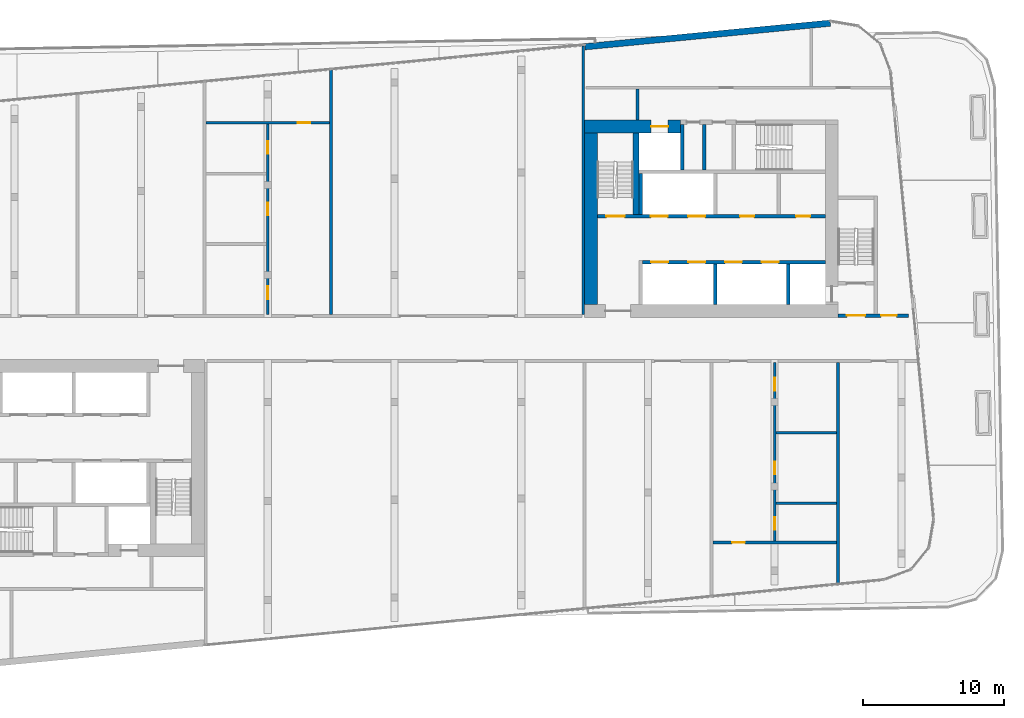
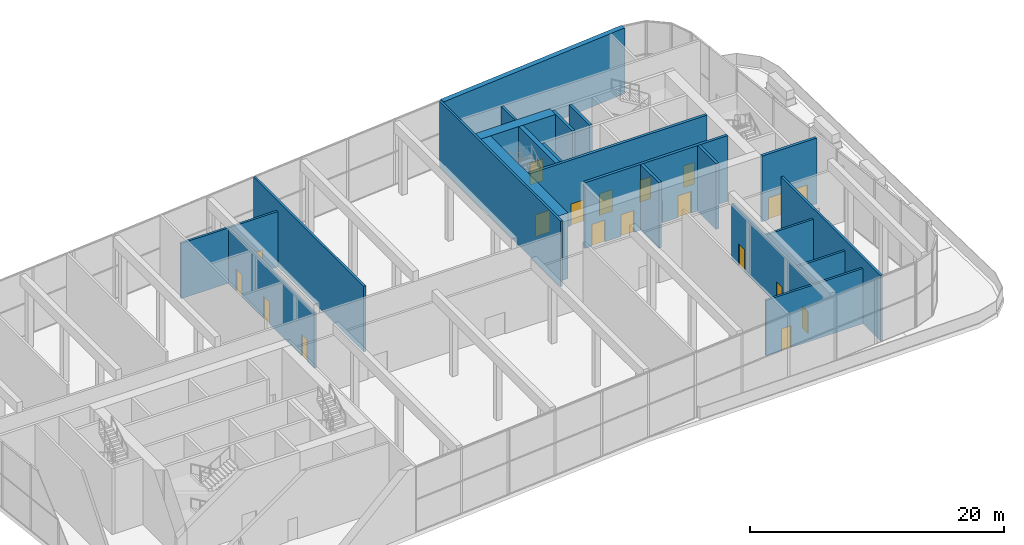
# One storey, part 14 of 24: 22 walls, 20 doors, 20 openings.
"""IFC4 building model written with IfcOpenShell, lengths in metres."""

from ifc_helpers import new_model, si_unit, direction, frame, frame_2d, origin, place, context, subcontext, project, spatial, rectangle, extrude, material, layer, layer_set, type_object, element, fill, save


model = new_model("IFC4")

# Units and contexts
model_context = context("Model", 3, precision=1e-05, world=origin(), true_north=direction((0.0, 1.0)))
body_context = subcontext(model_context, "Body", "Model", "MODEL_VIEW")
ifc_project = project(units=[si_unit("LENGTHUNIT", "METRE"), si_unit("AREAUNIT", "SQUARE_METRE"), si_unit("VOLUMEUNIT", "CUBIC_METRE"), si_unit("PLANEANGLEUNIT", "RADIAN"), si_unit("MASSUNIT", "GRAM", prefix="KILO")], contexts=[model_context])

# Site, building, storey
site_placement = place(None, origin())
site = spatial("IfcSite", under=ifc_project, at=site_placement, CompositionType="ELEMENT")
building_placement = place(site_placement, origin())
building = spatial("IfcBuilding", under=site, at=building_placement, Name="Kajstack Hotel Tower", CompositionType="ELEMENT")
storey_placement = place(building_placement, frame((0.0, 0.0, 261.89990234375)))
storey = spatial("IfcBuildingStorey", under=building, at=storey_placement, Name="L65", CompositionType="ELEMENT", Elevation=261.89990234375)

# Wall, opening, door
ifc_material_1 = material(Name="Concrete C60/75", Category="concrete")
ifc_layer_1 = layer(ifc_material_1, 0.89990234375)
ifc_layer_set_1 = layer_set([ifc_layer_1], Name="Core wall 900")
wall_type_1 = type_object("IfcWallType", Name="Core wall 900", PredefinedType="SHEAR", material=ifc_layer_set_1)
wall_1_placement = place(storey_placement, frame((13.5, 15.050048828125, 0.0), z_axis=(0.0, 0.0, 1.0), x_axis=(1.0, 0.0, 0.0)))
wall_1 = element("IfcWall", 1, at=wall_1_placement, inside=storey, type_object=wall_type_1, Name="Core wall E RS", PredefinedType="SHEAR", context=body_context, shape_type="SweptSolid", body=[
    extrude(rectangle(XDim=6.800048828125, YDim=0.89990234375, at=frame_2d((3.39990234375, 0.0))), origin(), (0.0, 0.0, 1.0), 6.320068359375),
])
opening_1_placement = place(wall_1_placement, frame((4.72509765625, 0.0, 0.0)))
opening_1 = element("IfcOpeningElement", 2, at=opening_1_placement, cuts=wall_1, Name="Opening LD-SV2", PredefinedType="OPENING", context=body_context, shape_type="SweptSolid", body=[
    extrude(rectangle(XDim=1.199951171875, YDim=2.10009765625, at=frame_2d((0.60009765625, 1.050048828125))), frame((0.0, 0.4599609375, 0.0), z_axis=(0.0, -1.0, 0.0), x_axis=(1.0, 0.0, 0.0)), (0.0, 0.0, 1.0), 0.919921875),
])
ifc_material_2 = material(Name="Stainless steel", Category="steel")
door_type_1 = type_object("IfcDoorType", Name="Lift landing door 1200", OperationType="SLIDING_TO_LEFT", PredefinedType="DOOR", material=ifc_material_2)
door_1_placement = place(opening_1_placement, origin())
door_1 = element("IfcDoor", 3, at=door_1_placement, inside=storey, type_object=door_type_1, Name="Landing door SV2", OperationType="SLIDING_TO_LEFT", OverallHeight=2.10009765625, OverallWidth=1.199951171875, PredefinedType="DOOR", context=body_context, shape_type="SweptSolid", body=[
    extrude(rectangle(XDim=1.199951171875, YDim=2.10009765625, at=frame_2d((0.60009765625, 1.050048828125))), frame((0.0, 0.02490234375, 0.0), z_axis=(0.0, -1.0, 0.0), x_axis=(1.0, 0.0, 0.0)), (0.0, 0.0, 1.0), 0.050048828125),
])
fill(opening_1, door_1)

# Walls
wall_2_placement = place(storey_placement, frame((13.949951171875, 2.39990234375, 0.0), z_axis=(0.0, 0.0, 1.0), x_axis=(0.0, 1.0, 0.0)))
element("IfcWall", 4, at=wall_2_placement, inside=storey, type_object=wall_type_1, Name="Core wall E RE", PredefinedType="SHEAR", context=body_context, shape_type="SweptSolid", body=[
    extrude(rectangle(XDim=12.2001953125, YDim=0.89990234375, at=frame_2d((6.10009765625, 0.0))), origin(), (0.0, 0.0, 1.0), 6.320068359375),
])
ifc_material_3 = material(Name="Concrete C40/50", Category="concrete")
ifc_layer_2 = layer(ifc_material_3, 0.449951171875)
ifc_layer_set_2 = layer_set([ifc_layer_2], Name="EW-CORE")
wall_type_2 = type_object("IfcWallType", Name="EW-CORE", PredefinedType="SOLIDWALL", material=ifc_layer_set_2)
wall_3_placement = place(storey_placement, frame((30.94580078125, 22.390625, 0.0), z_axis=(0.0, 0.0, 1.0), x_axis=(-0.995396397117, -0.095843688398, 0.0)))
element("IfcWall", 5, at=wall_3_placement, inside=storey, type_object=wall_type_2, Name="E-wall-L65-12-00", PredefinedType="SOLIDWALL", context=body_context, shape_type="SweptSolid", body=[
    extrude(rectangle(XDim=17.5048828125, YDim=0.449951171875, at=frame_2d((8.75244140625, 0.0))), origin(), (0.0, 0.0, 1.0), 6.320068359375),
])
ifc_material_4 = material(Name="Concrete C50/60", Category="concrete")
ifc_layer_3 = layer(ifc_material_4, 0.300048828125)
ifc_layer_set_3 = layer_set([ifc_layer_3], Name="Hoistway divider wall 300")
wall_type_3 = type_object("IfcWallType", Name="Hoistway divider wall 300", PredefinedType="SHEAR", material=ifc_layer_set_3)
wall_4_placement = place(storey_placement, frame((22.77490234375, 2.39990234375, 0.0), z_axis=(0.0, 0.0, 1.0), x_axis=(0.0, 1.0, 0.0)))
element("IfcWall", 6, at=wall_4_placement, inside=storey, type_object=wall_type_3, Name="Core wall E AP2", PredefinedType="SHEAR", context=body_context, shape_type="SweptSolid", body=[
    extrude(rectangle(XDim=2.900146484375, YDim=0.25, at=frame_2d((1.4501953125, 0.0))), origin(), (0.0, 0.0, 1.0), 6.320068359375),
])
ifc_material_5 = material(Name="Gypsum board on steel studs, mineral wool", Category="steel")
ifc_layer_4 = layer(ifc_material_5, 0.199951171875)
ifc_layer_set_4 = layer_set([ifc_layer_4], Name="Public partition 200")
wall_type_4 = type_object("IfcWallType", Name="Public partition 200", PredefinedType="PARTITIONING", material=ifc_layer_set_4)
wall_5_placement = place(storey_placement, frame((-4.5, 1.699951171875, 0.0), z_axis=(0.0, 0.0, 1.0), x_axis=(0.0, 1.0, 0.0)))
element("IfcWall", 7, at=wall_5_placement, inside=storey, type_object=wall_type_4, Name="Partition PX0", PredefinedType="PARTITIONING", context=body_context, shape_type="SweptSolid", body=[
    extrude(rectangle(XDim=17.35302734375, YDim=0.199951171875, at=frame_2d((8.676513671875, 0.0))), origin(), (0.0, 0.0, 1.0), 6.320068359375),
])

# Wall, openings, doors
wall_6_placement = place(storey_placement, frame((-9.0, 1.699951171875, 0.0), z_axis=(0.0, 0.0, 1.0), x_axis=(0.0, 1.0, 0.0)))
wall_6 = element("IfcWall", 8, at=wall_6_placement, inside=storey, type_object=wall_type_4, Name="Partition C1CW", PredefinedType="PARTITIONING", context=body_context, shape_type="SweptSolid", body=[
    extrude(rectangle(XDim=13.518310546875, YDim=0.199951171875, at=frame_2d((6.75927734375, 0.0))), origin(), (0.0, 0.0, 1.0), 5.320068359375),
])
opening_2_placement = place(wall_6_placement, frame((1.10009765625, 0.0, 0.0)))
opening_2 = element("IfcOpeningElement", 9, at=opening_2_placement, cuts=wall_6, Name="Opening 65P04", PredefinedType="OPENING", context=body_context, shape_type="SweptSolid", body=[
    extrude(rectangle(XDim=0.89990234375, YDim=2.10009765625, at=frame_2d((0.449951171875, 1.050048828125))), frame((0.0, 0.10986328125, 0.0), z_axis=(0.0, -1.0, 0.0), x_axis=(1.0, 0.0, 0.0)), (0.0, 0.0, 1.0), 0.219970703125),
])
opening_3_placement = place(wall_6_placement, frame((7.050048828125, 0.0, 0.0)))
opening_3 = element("IfcOpeningElement", 10, at=opening_3_placement, cuts=wall_6, Name="Opening 65P05", PredefinedType="OPENING", context=body_context, shape_type="SweptSolid", body=[
    extrude(rectangle(XDim=0.89990234375, YDim=2.10009765625, at=frame_2d((0.449951171875, 1.050048828125))), frame((0.0, 0.10986328125, 0.0), z_axis=(0.0, -1.0, 0.0), x_axis=(1.0, 0.0, 0.0)), (0.0, 0.0, 1.0), 0.219970703125),
])
opening_4_placement = place(wall_6_placement, frame((11.408935546875, 0.0, 0.0)))
opening_4 = element("IfcOpeningElement", 11, at=opening_4_placement, cuts=wall_6, Name="Opening 65P06", PredefinedType="OPENING", context=body_context, shape_type="SweptSolid", body=[
    extrude(rectangle(XDim=0.89990234375, YDim=2.10009765625, at=frame_2d((0.449951171875, 1.050048828125))), frame((0.0, 0.10986328125, 0.0), z_axis=(0.0, -1.0, 0.0), x_axis=(1.0, 0.0, 0.0)), (0.0, 0.0, 1.0), 0.219970703125),
])
ifc_material_6 = material(Name="Timber leaf", Category="wood")
door_type_2 = type_object("IfcDoorType", Name="Public room door 900", OperationType="SINGLE_SWING_LEFT", PredefinedType="DOOR", material=ifc_material_6)
door_2_placement = place(opening_2_placement, origin())
door_2 = element("IfcDoor", 12, at=door_2_placement, inside=storey, type_object=door_type_2, Name="Door 65P04", OperationType="SINGLE_SWING_LEFT", OverallHeight=2.10009765625, OverallWidth=0.89990234375, PredefinedType="DOOR", context=body_context, shape_type="SweptSolid", body=[
    extrude(rectangle(XDim=0.89990234375, YDim=2.10009765625, at=frame_2d((0.449951171875, 1.050048828125))), frame((0.0, 0.02490234375, 0.0), z_axis=(0.0, -1.0, 0.0), x_axis=(1.0, 0.0, 0.0)), (0.0, 0.0, 1.0), 0.050048828125),
])
fill(opening_2, door_2)
door_3_placement = place(opening_3_placement, origin())
door_3 = element("IfcDoor", 13, at=door_3_placement, inside=storey, type_object=door_type_2, Name="Door 65P05", OperationType="SINGLE_SWING_LEFT", OverallHeight=2.10009765625, OverallWidth=0.89990234375, PredefinedType="DOOR", context=body_context, shape_type="SweptSolid", body=[
    extrude(rectangle(XDim=0.89990234375, YDim=2.10009765625, at=frame_2d((0.449951171875, 1.050048828125))), frame((0.0, 0.02490234375, 0.0), z_axis=(0.0, -1.0, 0.0), x_axis=(1.0, 0.0, 0.0)), (0.0, 0.0, 1.0), 0.050048828125),
])
fill(opening_3, door_3)
door_4_placement = place(opening_4_placement, origin())
door_4 = element("IfcDoor", 14, at=door_4_placement, inside=storey, type_object=door_type_2, Name="Door 65P06", OperationType="SINGLE_SWING_LEFT", OverallHeight=2.10009765625, OverallWidth=0.89990234375, PredefinedType="DOOR", context=body_context, shape_type="SweptSolid", body=[
    extrude(rectangle(XDim=0.89990234375, YDim=2.10009765625, at=frame_2d((0.449951171875, 1.050048828125))), frame((0.0, 0.02490234375, 0.0), z_axis=(0.0, -1.0, 0.0), x_axis=(1.0, 0.0, 0.0)), (0.0, 0.0, 1.0), 0.050048828125),
])
fill(opening_4, door_4)

# Wall, opening, door
wall_7_placement = place(storey_placement, frame((-13.39990234375, 15.318115234375, 0.0), z_axis=(0.0, 0.0, 1.0), x_axis=(1.0, 0.0, 0.0)))
wall_7 = element("IfcWall", 15, at=wall_7_placement, inside=storey, type_object=wall_type_4, Name="Partition C1BW", PredefinedType="PARTITIONING", context=body_context, shape_type="SweptSolid", body=[
    extrude(rectangle(XDim=8.7998046875, YDim=0.199951171875, at=frame_2d((4.39990234375, 0.0))), origin(), (0.0, 0.0, 1.0), 5.320068359375),
])
opening_5_placement = place(wall_7_placement, frame((6.52490234375, 0.0, 0.0)))
opening_5 = element("IfcOpeningElement", 16, at=opening_5_placement, cuts=wall_7, Name="Opening 65P07", PredefinedType="OPENING", context=body_context, shape_type="SweptSolid", body=[
    extrude(rectangle(XDim=0.89990234375, YDim=2.10009765625, at=frame_2d((0.449951171875, 1.050048828125))), frame((0.0, 0.10986328125, 0.0), z_axis=(0.0, -1.0, 0.0), x_axis=(1.0, 0.0, 0.0)), (0.0, 0.0, 1.0), 0.219970703125),
])
door_5_placement = place(opening_5_placement, origin())
door_5 = element("IfcDoor", 17, at=door_5_placement, inside=storey, type_object=door_type_2, Name="Door 65P07", OperationType="SINGLE_SWING_LEFT", OverallHeight=2.10009765625, OverallWidth=0.89990234375, PredefinedType="DOOR", context=body_context, shape_type="SweptSolid", body=[
    extrude(rectangle(XDim=0.89990234375, YDim=2.10009765625, at=frame_2d((0.449951171875, 1.050048828125))), frame((0.0, 0.02490234375, 0.0), z_axis=(0.0, -1.0, 0.0), x_axis=(1.0, 0.0, 0.0)), (0.0, 0.0, 1.0), 0.050048828125),
])
fill(opening_5, door_5)

# Wall
wall_8_placement = place(storey_placement, frame((13.39990234375, 1.699951171875, 0.0), z_axis=(0.0, 0.0, 1.0), x_axis=(0.0, 1.0, 0.0)))
element("IfcWall", 18, at=wall_8_placement, inside=storey, type_object=wall_type_4, Name="Partition EW", PredefinedType="PARTITIONING", context=body_context, shape_type="SweptSolid", body=[
    extrude(rectangle(XDim=19.07666015625, YDim=0.199951171875, at=frame_2d((9.538330078125, 0.0))), origin(), (0.0, 0.0, 1.0), 6.320068359375),
])

# Wall, openings, doors
wall_9_placement = place(storey_placement, frame((27.0, -14.396240234375, 0.0), z_axis=(0.0, 0.0, 1.0), x_axis=(0.0, 1.0, 0.0)))
wall_9 = element("IfcWall", 19, at=wall_9_placement, inside=storey, type_object=wall_type_4, Name="Partition SC2CW", PredefinedType="PARTITIONING", context=body_context, shape_type="SweptSolid", body=[
    extrude(rectangle(XDim=12.6962890625, YDim=0.199951171875, at=frame_2d((6.34814453125, 0.0))), origin(), (0.0, 0.0, 1.0), 5.320068359375),
])
opening_6_placement = place(wall_9_placement, frame((10.696044921875, 0.0, 0.0)))
opening_6 = element("IfcOpeningElement", 20, at=opening_6_placement, cuts=wall_9, Name="Opening 65P16", PredefinedType="OPENING", context=body_context, shape_type="SweptSolid", body=[
    extrude(rectangle(XDim=0.89990234375, YDim=2.10009765625, at=frame_2d((0.449951171875, 1.050048828125))), frame((0.0, 0.10986328125, 0.0), z_axis=(0.0, -1.0, 0.0), x_axis=(1.0, 0.0, 0.0)), (0.0, 0.0, 1.0), 0.219970703125),
])
opening_7_placement = place(wall_9_placement, frame((4.74609375, 0.0, 0.0)))
opening_7 = element("IfcOpeningElement", 21, at=opening_7_placement, cuts=wall_9, Name="Opening 65P17", PredefinedType="OPENING", context=body_context, shape_type="SweptSolid", body=[
    extrude(rectangle(XDim=0.89990234375, YDim=2.10009765625, at=frame_2d((0.449951171875, 1.050048828125))), frame((0.0, 0.10986328125, 0.0), z_axis=(0.0, -1.0, 0.0), x_axis=(1.0, 0.0, 0.0)), (0.0, 0.0, 1.0), 0.219970703125),
])
opening_8_placement = place(wall_9_placement, frame((0.798095703125, 0.0, 0.0)))
opening_8 = element("IfcOpeningElement", 22, at=opening_8_placement, cuts=wall_9, Name="Opening 65P18", PredefinedType="OPENING", context=body_context, shape_type="SweptSolid", body=[
    extrude(rectangle(XDim=0.89990234375, YDim=2.10009765625, at=frame_2d((0.449951171875, 1.050048828125))), frame((0.0, 0.10986328125, 0.0), z_axis=(0.0, -1.0, 0.0), x_axis=(1.0, 0.0, 0.0)), (0.0, 0.0, 1.0), 0.219970703125),
])
door_6_placement = place(opening_6_placement, origin())
door_6 = element("IfcDoor", 23, at=door_6_placement, inside=storey, type_object=door_type_2, Name="Door 65P16", OperationType="SINGLE_SWING_RIGHT", OverallHeight=2.10009765625, OverallWidth=0.89990234375, PredefinedType="DOOR", context=body_context, shape_type="SweptSolid", body=[
    extrude(rectangle(XDim=0.89990234375, YDim=2.10009765625, at=frame_2d((0.449951171875, 1.050048828125))), frame((0.0, 0.02490234375, 0.0), z_axis=(0.0, -1.0, 0.0), x_axis=(1.0, 0.0, 0.0)), (0.0, 0.0, 1.0), 0.050048828125),
])
fill(opening_6, door_6)
door_7_placement = place(opening_7_placement, origin())
door_7 = element("IfcDoor", 24, at=door_7_placement, inside=storey, type_object=door_type_2, Name="Door 65P17", OperationType="SINGLE_SWING_RIGHT", OverallHeight=2.10009765625, OverallWidth=0.89990234375, PredefinedType="DOOR", context=body_context, shape_type="SweptSolid", body=[
    extrude(rectangle(XDim=0.89990234375, YDim=2.10009765625, at=frame_2d((0.449951171875, 1.050048828125))), frame((0.0, 0.02490234375, 0.0), z_axis=(0.0, -1.0, 0.0), x_axis=(1.0, 0.0, 0.0)), (0.0, 0.0, 1.0), 0.050048828125),
])
fill(opening_7, door_7)
door_8_placement = place(opening_8_placement, origin())
door_8 = element("IfcDoor", 25, at=door_8_placement, inside=storey, type_object=door_type_2, Name="Door 65P18", OperationType="SINGLE_SWING_RIGHT", OverallHeight=2.10009765625, OverallWidth=0.89990234375, PredefinedType="DOOR", context=body_context, shape_type="SweptSolid", body=[
    extrude(rectangle(XDim=0.89990234375, YDim=2.10009765625, at=frame_2d((0.449951171875, 1.050048828125))), frame((0.0, 0.02490234375, 0.0), z_axis=(0.0, -1.0, 0.0), x_axis=(1.0, 0.0, 0.0)), (0.0, 0.0, 1.0), 0.050048828125),
])
fill(opening_8, door_8)

# Walls
for number, where, z_axis, x_axis, name in (
    (26, (27.10009765625, -6.699951171875, 0.0), (0.0, 0.0, 1.0), (1.0, 0.0, 0.0), "Partition SC2wP0"),
    (27, (27.10009765625, -11.699951171875, 0.0), (0.0, 0.0, 1.0), (1.0, 0.0, 0.0), "Partition SC2wP1"),
):
    element("IfcWall", number, at=place(storey_placement, frame(where, z_axis=z_axis, x_axis=x_axis)), inside=storey, type_object=wall_type_4, Name=name, PredefinedType="PARTITIONING", context=body_context, shape_type="SweptSolid", body=[
        extrude(rectangle(XDim=4.2998046875, YDim=0.199951171875, at=frame_2d((2.14990234375, 0.0))), origin(), (0.0, 0.0, 1.0), 5.320068359375),
    ])

# Wall, opening, door
wall_10_placement = place(storey_placement, frame((22.60009765625, -14.49609375, 0.0), z_axis=(0.0, 0.0, 1.0), x_axis=(1.0, 0.0, 0.0)))
wall_10 = element("IfcWall", 28, at=wall_10_placement, inside=storey, type_object=wall_type_4, Name="Partition SC2BW", PredefinedType="PARTITIONING", context=body_context, shape_type="SweptSolid", body=[
    extrude(rectangle(XDim=8.7998046875, YDim=0.199951171875, at=frame_2d((4.39990234375, 0.0))), origin(), (0.0, 0.0, 1.0), 5.320068359375),
])
opening_9_placement = place(wall_10_placement, frame((1.375, 0.0, 0.0)))
opening_9 = element("IfcOpeningElement", 29, at=opening_9_placement, cuts=wall_10, Name="Opening 65P19", PredefinedType="OPENING", context=body_context, shape_type="SweptSolid", body=[
    extrude(rectangle(XDim=0.89990234375, YDim=2.10009765625, at=frame_2d((0.449951171875, 1.050048828125))), frame((0.0, 0.10986328125, 0.0), z_axis=(0.0, -1.0, 0.0), x_axis=(1.0, 0.0, 0.0)), (0.0, 0.0, 1.0), 0.219970703125),
])
door_9_placement = place(opening_9_placement, origin())
door_9 = element("IfcDoor", 30, at=door_9_placement, inside=storey, type_object=door_type_2, Name="Door 65P19", OperationType="SINGLE_SWING_RIGHT", OverallHeight=2.10009765625, OverallWidth=0.89990234375, PredefinedType="DOOR", context=body_context, shape_type="SweptSolid", body=[
    extrude(rectangle(XDim=0.89990234375, YDim=2.10009765625, at=frame_2d((0.449951171875, 1.050048828125))), frame((0.0, 0.02490234375, 0.0), z_axis=(0.0, -1.0, 0.0), x_axis=(1.0, 0.0, 0.0)), (0.0, 0.0, 1.0), 0.050048828125),
])
fill(opening_9, door_9)

# Walls
wall_11_placement = place(storey_placement, frame((31.5, -17.3642578125, 0.0), z_axis=(0.0, 0.0, 1.0), x_axis=(0.0, 1.0, 0.0)))
element("IfcWall", 31, at=wall_11_placement, inside=storey, type_object=wall_type_4, Name="Partition SPX2", PredefinedType="PARTITIONING", context=body_context, shape_type="SweptSolid", body=[
    extrude(rectangle(XDim=15.664306640625, YDim=0.199951171875, at=frame_2d((7.83203125, 0.0))), origin(), (0.0, 0.0, 1.0), 6.320068359375),
])
ifc_material_7 = material(Name="Concrete block masonry", Category="masonry")
ifc_layer_5 = layer(ifc_material_7, 0.25)
ifc_layer_set_5 = layer_set([ifc_layer_5], Name="Riser partition 250")
wall_type_5 = type_object("IfcWallType", Name="Riser partition 250", PredefinedType="PARTITIONING", material=ifc_layer_set_5)
wall_12_placement = place(storey_placement, frame((22.0, 11.949951171875, 0.0), z_axis=(0.0, 0.0, 1.0), x_axis=(0.0, 1.0, 0.0)))
element("IfcWall", 32, at=wall_12_placement, inside=storey, type_object=wall_type_5, Name="Partition E SZ0", PredefinedType="PARTITIONING", context=body_context, shape_type="SweptSolid", body=[
    extrude(rectangle(XDim=3.25, YDim=0.25, at=frame_2d((1.625, 0.0))), origin(), (0.0, 0.0, 1.0), 6.320068359375),
])

# Wall, openings, doors
ifc_layer_6 = layer(ifc_material_5, 0.199951171875)
ifc_layer_set_6 = layer_set([ifc_layer_6], Name="Service partition 200")
wall_type_6 = type_object("IfcWallType", Name="Service partition 200", PredefinedType="PARTITIONING", material=ifc_layer_set_6)
wall_13_placement = place(storey_placement, frame((31.5, 1.625, 0.0), z_axis=(0.0, 0.0, 1.0), x_axis=(1.0, 0.0, 0.0)))
wall_13 = element("IfcWall", 33, at=wall_13_placement, inside=storey, type_object=wall_type_6, Name="Partition E SN", PredefinedType="PARTITIONING", context=body_context, shape_type="SweptSolid", body=[
    extrude(rectangle(XDim=5.01171875, YDim=0.25, at=frame_2d((2.505859375, 0.0))), origin(), (0.0, 0.0, 1.0), 6.320068359375),
])
opening_10_placement = place(wall_13_placement, frame((0.625, 0.0, 0.0)))
opening_10 = element("IfcOpeningElement", 34, at=opening_10_placement, cuts=wall_13, Name="Opening 65E10", PredefinedType="OPENING", context=body_context, shape_type="SweptSolid", body=[
    extrude(rectangle(XDim=1.300048828125, YDim=2.10009765625, at=frame_2d((0.64990234375, 1.050048828125))), frame((0.0, 0.135009765625, 0.0), z_axis=(0.0, -1.0, 0.0), x_axis=(1.0, 0.0, 0.0)), (0.0, 0.0, 1.0), 0.27001953125),
])
opening_11_placement = place(wall_13_placement, frame((3.050048828125, 0.0, 0.0)))
opening_11 = element("IfcOpeningElement", 35, at=opening_11_placement, cuts=wall_13, Name="Opening 65E12", PredefinedType="OPENING", context=body_context, shape_type="SweptSolid", body=[
    extrude(rectangle(XDim=1.10009765625, YDim=2.10009765625, at=frame_2d((0.550048828125, 1.050048828125))), frame((0.0, 0.135009765625, 0.0), z_axis=(0.0, -1.0, 0.0), x_axis=(1.0, 0.0, 0.0)), (0.0, 0.0, 1.0), 0.27001953125),
])
ifc_material_8 = material(Name="Steel leaf, fire-rated", Category="steel")
door_type_3 = type_object("IfcDoorType", Name="Fire lobby door 1300", OperationType="SINGLE_SWING_LEFT", PredefinedType="DOOR", material=ifc_material_8)
door_10_placement = place(opening_10_placement, origin())
door_10 = element("IfcDoor", 36, at=door_10_placement, inside=storey, type_object=door_type_3, Name="Door 65E10", OperationType="SINGLE_SWING_LEFT", OverallHeight=2.10009765625, OverallWidth=1.300048828125, PredefinedType="DOOR", context=body_context, shape_type="SweptSolid", body=[
    extrude(rectangle(XDim=1.300048828125, YDim=2.10009765625, at=frame_2d((0.64990234375, 1.050048828125))), frame((0.0, 0.02490234375, 0.0), z_axis=(0.0, -1.0, 0.0), x_axis=(1.0, 0.0, 0.0)), (0.0, 0.0, 1.0), 0.050048828125),
])
fill(opening_10, door_10)
ifc_material_9 = material(Name="Timber leaf, fire-rated", Category="wood")
door_type_4 = type_object("IfcDoorType", Name="Service corridor door 1100", OperationType="SINGLE_SWING_LEFT", PredefinedType="DOOR", material=ifc_material_9)
door_11_placement = place(opening_11_placement, origin())
door_11 = element("IfcDoor", 37, at=door_11_placement, inside=storey, type_object=door_type_4, Name="Door 65E12", OperationType="SINGLE_SWING_LEFT", OverallHeight=2.10009765625, OverallWidth=1.10009765625, PredefinedType="DOOR", context=body_context, shape_type="SweptSolid", body=[
    extrude(rectangle(XDim=1.10009765625, YDim=2.10009765625, at=frame_2d((0.550048828125, 1.050048828125))), frame((0.0, 0.02490234375, 0.0), z_axis=(0.0, -1.0, 0.0), x_axis=(1.0, 0.0, 0.0)), (0.0, 0.0, 1.0), 0.050048828125),
])
fill(opening_11, door_11)

# Wall
wall_14_placement = place(storey_placement, frame((17.25, 15.5, 0.0), z_axis=(0.0, 0.0, 1.0), x_axis=(0.0, 1.0, 0.0)))
element("IfcWall", 38, at=wall_14_placement, inside=storey, type_object=wall_type_6, Name="Partition E SCE", PredefinedType="PARTITIONING", context=body_context, shape_type="SweptSolid", body=[
    extrude(rectangle(XDim=2.199951171875, YDim=0.199951171875, at=frame_2d((1.10009765625, 0.0))), origin(), (0.0, 0.0, 1.0), 6.320068359375),
])

# Wall, openings, doors
ifc_layer_7 = layer(ifc_material_4, 0.25)
ifc_layer_set_7 = layer_set([ifc_layer_7], Name="Shaft wall 250")
wall_type_7 = type_object("IfcWallType", Name="Shaft wall 250", PredefinedType="SHEAR", material=ifc_layer_set_7)
wall_15_placement = place(storey_placement, frame((17.60009765625, 5.425048828125, 0.0), z_axis=(0.0, 0.0, 1.0), x_axis=(1.0, 0.0, 0.0)))
wall_15 = element("IfcWall", 39, at=wall_15_placement, inside=storey, type_object=wall_type_7, Name="Core wall E FA", PredefinedType="SHEAR", context=body_context, shape_type="SweptSolid", body=[
    extrude(rectangle(XDim=13.0, YDim=0.25, at=frame_2d((6.5, 0.0))), origin(), (0.0, 0.0, 1.0), 6.320068359375),
])
opening_12_placement = place(wall_15_placement, frame((8.47509765625, 0.0, 0.0)))
opening_12 = element("IfcOpeningElement", 40, at=opening_12_placement, cuts=wall_15, Name="Opening LD-MR7", PredefinedType="OPENING", context=body_context, shape_type="SweptSolid", body=[
    extrude(rectangle(XDim=1.199951171875, YDim=2.10009765625, at=frame_2d((0.60009765625, 1.050048828125))), frame((0.0, 0.135009765625, 0.0), z_axis=(0.0, -1.0, 0.0), x_axis=(1.0, 0.0, 0.0)), (0.0, 0.0, 1.0), 0.27001953125),
])
opening_13_placement = place(wall_15_placement, frame((5.875, 0.0, 0.0)))
opening_13 = element("IfcOpeningElement", 41, at=opening_13_placement, cuts=wall_15, Name="Opening LD-MR8", PredefinedType="OPENING", context=body_context, shape_type="SweptSolid", body=[
    extrude(rectangle(XDim=1.199951171875, YDim=2.10009765625, at=frame_2d((0.60009765625, 1.050048828125))), frame((0.0, 0.135009765625, 0.0), z_axis=(0.0, -1.0, 0.0), x_axis=(1.0, 0.0, 0.0)), (0.0, 0.0, 1.0), 0.27001953125),
])
opening_14_placement = place(wall_15_placement, frame((3.27490234375, 0.0, 0.0)))
opening_14 = element("IfcOpeningElement", 42, at=opening_14_placement, cuts=wall_15, Name="Opening LD-HR3", PredefinedType="OPENING", context=body_context, shape_type="SweptSolid", body=[
    extrude(rectangle(XDim=1.199951171875, YDim=2.10009765625, at=frame_2d((0.60009765625, 1.050048828125))), frame((0.0, 0.135009765625, 0.0), z_axis=(0.0, -1.0, 0.0), x_axis=(1.0, 0.0, 0.0)), (0.0, 0.0, 1.0), 0.27001953125),
])
opening_15_placement = place(wall_15_placement, frame((0.625, 0.0, 0.0)))
opening_15 = element("IfcOpeningElement", 43, at=opening_15_placement, cuts=wall_15, Name="Opening LD-HR4", PredefinedType="OPENING", context=body_context, shape_type="SweptSolid", body=[
    extrude(rectangle(XDim=1.199951171875, YDim=2.10009765625, at=frame_2d((0.60009765625, 1.050048828125))), frame((0.0, 0.135009765625, 0.0), z_axis=(0.0, -1.0, 0.0), x_axis=(1.0, 0.0, 0.0)), (0.0, 0.0, 1.0), 0.27001953125),
])
door_12_placement = place(opening_12_placement, origin())
door_12 = element("IfcDoor", 44, at=door_12_placement, inside=storey, type_object=door_type_1, Name="Landing door MR7", OperationType="SLIDING_TO_LEFT", OverallHeight=2.10009765625, OverallWidth=1.199951171875, PredefinedType="DOOR", context=body_context, shape_type="SweptSolid", body=[
    extrude(rectangle(XDim=1.199951171875, YDim=2.10009765625, at=frame_2d((0.60009765625, 1.050048828125))), frame((0.0, 0.02490234375, 0.0), z_axis=(0.0, -1.0, 0.0), x_axis=(1.0, 0.0, 0.0)), (0.0, 0.0, 1.0), 0.050048828125),
])
fill(opening_12, door_12)
door_13_placement = place(opening_13_placement, origin())
door_13 = element("IfcDoor", 45, at=door_13_placement, inside=storey, type_object=door_type_1, Name="Landing door MR8", OperationType="SLIDING_TO_RIGHT", OverallHeight=2.10009765625, OverallWidth=1.199951171875, PredefinedType="DOOR", context=body_context, shape_type="SweptSolid", body=[
    extrude(rectangle(XDim=1.199951171875, YDim=2.10009765625, at=frame_2d((0.60009765625, 1.050048828125))), frame((0.0, 0.02490234375, 0.0), z_axis=(0.0, -1.0, 0.0), x_axis=(1.0, 0.0, 0.0)), (0.0, 0.0, 1.0), 0.050048828125),
])
fill(opening_13, door_13)
door_14_placement = place(opening_14_placement, origin())
door_14 = element("IfcDoor", 46, at=door_14_placement, inside=storey, type_object=door_type_1, Name="Landing door HR3", OperationType="SLIDING_TO_RIGHT", OverallHeight=2.10009765625, OverallWidth=1.199951171875, PredefinedType="DOOR", context=body_context, shape_type="SweptSolid", body=[
    extrude(rectangle(XDim=1.199951171875, YDim=2.10009765625, at=frame_2d((0.60009765625, 1.050048828125))), frame((0.0, 0.02490234375, 0.0), z_axis=(0.0, -1.0, 0.0), x_axis=(1.0, 0.0, 0.0)), (0.0, 0.0, 1.0), 0.050048828125),
])
fill(opening_14, door_14)
door_15_placement = place(opening_15_placement, origin())
door_15 = element("IfcDoor", 47, at=door_15_placement, inside=storey, type_object=door_type_1, Name="Landing door HR4", OperationType="SLIDING_TO_LEFT", OverallHeight=2.10009765625, OverallWidth=1.199951171875, PredefinedType="DOOR", context=body_context, shape_type="SweptSolid", body=[
    extrude(rectangle(XDim=1.199951171875, YDim=2.10009765625, at=frame_2d((0.60009765625, 1.050048828125))), frame((0.0, 0.02490234375, 0.0), z_axis=(0.0, -1.0, 0.0), x_axis=(1.0, 0.0, 0.0)), (0.0, 0.0, 1.0), 0.050048828125),
])
fill(opening_15, door_15)

# Wall
wall_16_placement = place(storey_placement, frame((27.97509765625, 2.39990234375, 0.0), z_axis=(0.0, 0.0, 1.0), x_axis=(0.0, 1.0, 0.0)))
element("IfcWall", 48, at=wall_16_placement, inside=storey, type_object=wall_type_7, Name="Core wall E AP0", PredefinedType="SHEAR", context=body_context, shape_type="SweptSolid", body=[
    extrude(rectangle(XDim=2.900146484375, YDim=0.25, at=frame_2d((1.4501953125, 0.0))), origin(), (0.0, 0.0, 1.0), 6.320068359375),
])

# Wall, openings, doors
wall_17_placement = place(storey_placement, frame((14.39990234375, 8.675048828125, 0.0), z_axis=(0.0, 0.0, 1.0), x_axis=(1.0, 0.0, 0.0)))
wall_17 = element("IfcWall", 49, at=wall_17_placement, inside=storey, type_object=wall_type_7, Name="Core wall E FB", PredefinedType="SHEAR", context=body_context, shape_type="SweptSolid", body=[
    extrude(rectangle(XDim=16.2001953125, YDim=0.25, at=frame_2d((8.10009765625, 0.0))), origin(), (0.0, 0.0, 1.0), 6.320068359375),
])
opening_16_placement = place(wall_17_placement, frame((6.449951171875, 0.0, 0.0)))
opening_16 = element("IfcOpeningElement", 50, at=opening_16_placement, cuts=wall_17, Name="Opening LD-MR5", PredefinedType="OPENING", context=body_context, shape_type="SweptSolid", body=[
    extrude(rectangle(XDim=1.199951171875, YDim=2.10009765625, at=frame_2d((0.60009765625, 1.050048828125))), frame((0.0, 0.135009765625, 0.0), z_axis=(0.0, -1.0, 0.0), x_axis=(1.0, 0.0, 0.0)), (0.0, 0.0, 1.0), 0.27001953125),
])
opening_17_placement = place(wall_17_placement, frame((3.800048828125, 0.0, 0.0)))
opening_17 = element("IfcOpeningElement", 51, at=opening_17_placement, cuts=wall_17, Name="Opening LD-MR6", PredefinedType="OPENING", context=body_context, shape_type="SweptSolid", body=[
    extrude(rectangle(XDim=1.199951171875, YDim=2.10009765625, at=frame_2d((0.60009765625, 1.050048828125))), frame((0.0, 0.135009765625, 0.0), z_axis=(0.0, -1.0, 0.0), x_axis=(1.0, 0.0, 0.0)), (0.0, 0.0, 1.0), 0.27001953125),
])
opening_18_placement = place(wall_17_placement, frame((0.64990234375, 0.0, 0.0)))
opening_18 = element("IfcOpeningElement", 52, at=opening_18_placement, cuts=wall_17, Name="Opening 65E13", PredefinedType="OPENING", context=body_context, shape_type="SweptSolid", body=[
    extrude(rectangle(XDim=1.300048828125, YDim=2.10009765625, at=frame_2d((0.64990234375, 1.050048828125))), frame((0.0, 0.135009765625, 0.0), z_axis=(0.0, -1.0, 0.0), x_axis=(1.0, 0.0, 0.0)), (0.0, 0.0, 1.0), 0.27001953125),
])
opening_19_placement = place(wall_17_placement, frame((14.112548828125, 0.0, 0.0)))
opening_19 = element("IfcOpeningElement", 53, at=opening_19_placement, cuts=wall_17, Name="Opening 65E17", PredefinedType="OPENING", context=body_context, shape_type="SweptSolid", body=[
    extrude(rectangle(XDim=1.0, YDim=2.10009765625, at=frame_2d((0.5, 1.050048828125))), frame((0.0, 0.135009765625, 0.0), z_axis=(0.0, -1.0, 0.0), x_axis=(1.0, 0.0, 0.0)), (0.0, 0.0, 1.0), 0.27001953125),
])
opening_20_placement = place(wall_17_placement, frame((10.137451171875, 0.0, 0.0)))
opening_20 = element("IfcOpeningElement", 54, at=opening_20_placement, cuts=wall_17, Name="Opening 65E18", PredefinedType="OPENING", context=body_context, shape_type="SweptSolid", body=[
    extrude(rectangle(XDim=1.0, YDim=2.10009765625, at=frame_2d((0.5, 1.050048828125))), frame((0.0, 0.135009765625, 0.0), z_axis=(0.0, -1.0, 0.0), x_axis=(1.0, 0.0, 0.0)), (0.0, 0.0, 1.0), 0.27001953125),
])
door_16_placement = place(opening_16_placement, origin())
door_16 = element("IfcDoor", 55, at=door_16_placement, inside=storey, type_object=door_type_1, Name="Landing door MR5", OperationType="SLIDING_TO_LEFT", OverallHeight=2.10009765625, OverallWidth=1.199951171875, PredefinedType="DOOR", context=body_context, shape_type="SweptSolid", body=[
    extrude(rectangle(XDim=1.199951171875, YDim=2.10009765625, at=frame_2d((0.60009765625, 1.050048828125))), frame((0.0, 0.02490234375, 0.0), z_axis=(0.0, -1.0, 0.0), x_axis=(1.0, 0.0, 0.0)), (0.0, 0.0, 1.0), 0.050048828125),
])
fill(opening_16, door_16)
door_17_placement = place(opening_17_placement, origin())
door_17 = element("IfcDoor", 56, at=door_17_placement, inside=storey, type_object=door_type_1, Name="Landing door MR6", OperationType="SLIDING_TO_RIGHT", OverallHeight=2.10009765625, OverallWidth=1.199951171875, PredefinedType="DOOR", context=body_context, shape_type="SweptSolid", body=[
    extrude(rectangle(XDim=1.199951171875, YDim=2.10009765625, at=frame_2d((0.60009765625, 1.050048828125))), frame((0.0, 0.02490234375, 0.0), z_axis=(0.0, -1.0, 0.0), x_axis=(1.0, 0.0, 0.0)), (0.0, 0.0, 1.0), 0.050048828125),
])
fill(opening_17, door_17)
door_type_5 = type_object("IfcDoorType", Name="Service room door 1000", OperationType="SINGLE_SWING_LEFT", PredefinedType="DOOR", material=ifc_material_9)
door_18_placement = place(opening_19_placement, origin())
door_18 = element("IfcDoor", 57, at=door_18_placement, inside=storey, type_object=door_type_5, Name="Door 65E17", OperationType="SINGLE_SWING_LEFT", OverallHeight=2.10009765625, OverallWidth=1.0, PredefinedType="DOOR", context=body_context, shape_type="SweptSolid", body=[
    extrude(rectangle(XDim=1.0, YDim=2.10009765625, at=frame_2d((0.5, 1.050048828125))), frame((0.0, 0.02490234375, 0.0), z_axis=(0.0, -1.0, 0.0), x_axis=(1.0, 0.0, 0.0)), (0.0, 0.0, 1.0), 0.050048828125),
])
fill(opening_19, door_18)
door_19_placement = place(opening_20_placement, origin())
door_19 = element("IfcDoor", 58, at=door_19_placement, inside=storey, type_object=door_type_5, Name="Door 65E18", OperationType="SINGLE_SWING_LEFT", OverallHeight=2.10009765625, OverallWidth=1.0, PredefinedType="DOOR", context=body_context, shape_type="SweptSolid", body=[
    extrude(rectangle(XDim=1.0, YDim=2.10009765625, at=frame_2d((0.5, 1.050048828125))), frame((0.0, 0.02490234375, 0.0), z_axis=(0.0, -1.0, 0.0), x_axis=(1.0, 0.0, 0.0)), (0.0, 0.0, 1.0), 0.050048828125),
])
fill(opening_20, door_19)
door_type_6 = type_object("IfcDoorType", Name="Stair door 1300", OperationType="SINGLE_SWING_LEFT", PredefinedType="DOOR", material=ifc_material_8)
door_20_placement = place(opening_18_placement, origin())
door_20 = element("IfcDoor", 59, at=door_20_placement, inside=storey, type_object=door_type_6, Name="Door 65E13", OperationType="SINGLE_SWING_LEFT", OverallHeight=2.10009765625, OverallWidth=1.300048828125, PredefinedType="DOOR", context=body_context, shape_type="SweptSolid", body=[
    extrude(rectangle(XDim=1.300048828125, YDim=2.10009765625, at=frame_2d((0.64990234375, 1.050048828125))), frame((0.0, 0.02490234375, 0.0), z_axis=(0.0, -1.0, 0.0), x_axis=(1.0, 0.0, 0.0)), (0.0, 0.0, 1.0), 0.050048828125),
])
fill(opening_18, door_20)

# Walls
wall_18_placement = place(storey_placement, frame((17.47509765625, 8.800048828125, 0.0), z_axis=(0.0, 0.0, 1.0), x_axis=(0.0, 1.0, 0.0)))
element("IfcWall", 60, at=wall_18_placement, inside=storey, type_object=wall_type_7, Name="Core wall E BE", PredefinedType="SHEAR", context=body_context, shape_type="SweptSolid", body=[
    extrude(rectangle(XDim=2.89990234375, YDim=0.25, at=frame_2d((1.449951171875, 0.0))), origin(), (0.0, 0.0, 1.0), 6.320068359375),
])
wall_19_placement = place(storey_placement, frame((20.425048828125, 11.949951171875, 0.0), z_axis=(0.0, 0.0, 1.0), x_axis=(0.0, 1.0, 0.0)))
element("IfcWall", 61, at=wall_19_placement, inside=storey, type_object=wall_type_7, Name="Core wall E SVW", PredefinedType="SHEAR", context=body_context, shape_type="SweptSolid", body=[
    extrude(rectangle(XDim=3.25, YDim=0.25, at=frame_2d((1.625, 0.0))), origin(), (0.0, 0.0, 1.0), 6.320068359375),
])
ifc_layer_8 = layer(ifc_material_4, 0.39990234375)
ifc_layer_set_8 = layer_set([ifc_layer_8], Name="Stair wall 400")
wall_type_8 = type_object("IfcWallType", Name="Stair wall 400", PredefinedType="SHEAR", material=ifc_layer_set_8)
wall_20_placement = place(storey_placement, frame((17.14990234375, 8.800048828125, 0.0), z_axis=(0.0, 0.0, 1.0), x_axis=(0.0, 1.0, 0.0)))
element("IfcWall", 62, at=wall_20_placement, inside=storey, type_object=wall_type_8, Name="Core wall E WW2", PredefinedType="SHEAR", context=body_context, shape_type="SweptSolid", body=[
    extrude(rectangle(XDim=5.800048828125, YDim=0.39990234375, at=frame_2d((2.89990234375, 0.0))), origin(), (0.0, 0.0, 1.0), 6.320068359375),
])

save(model, "model.ifc")
